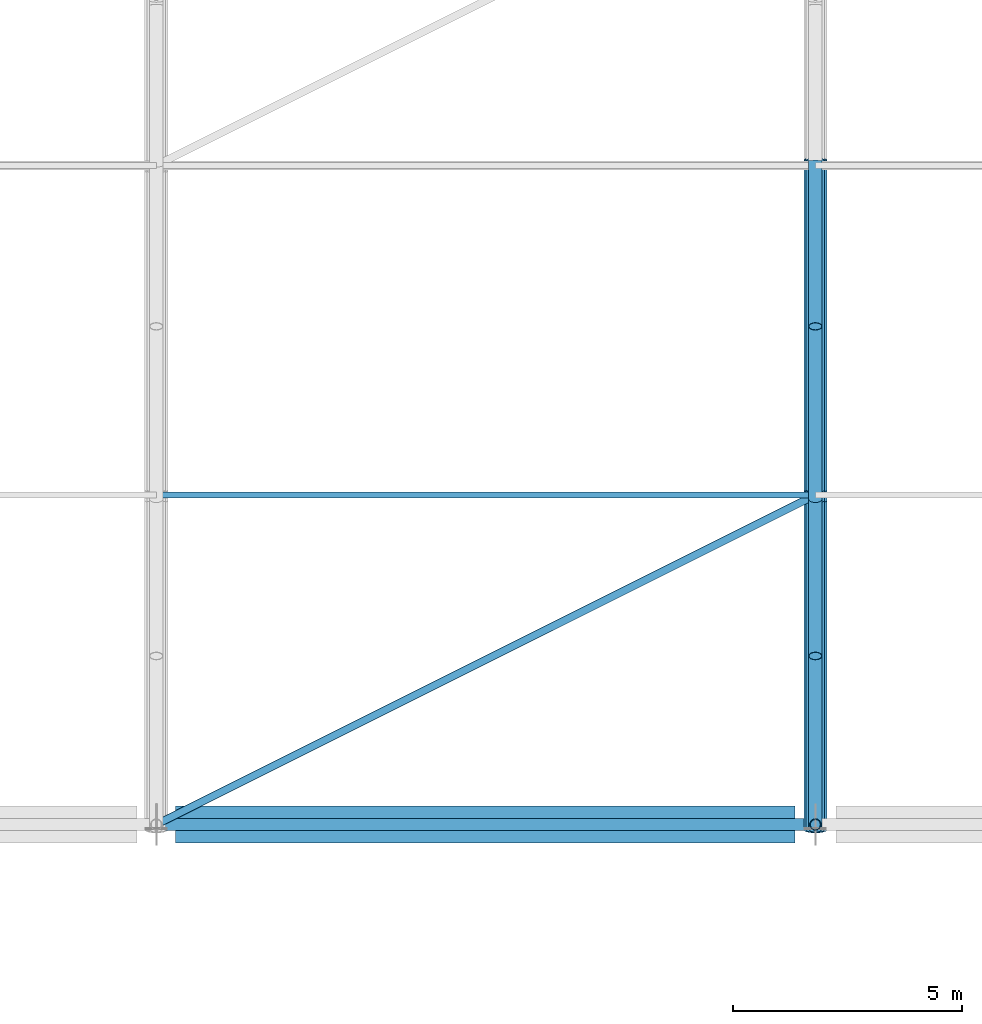
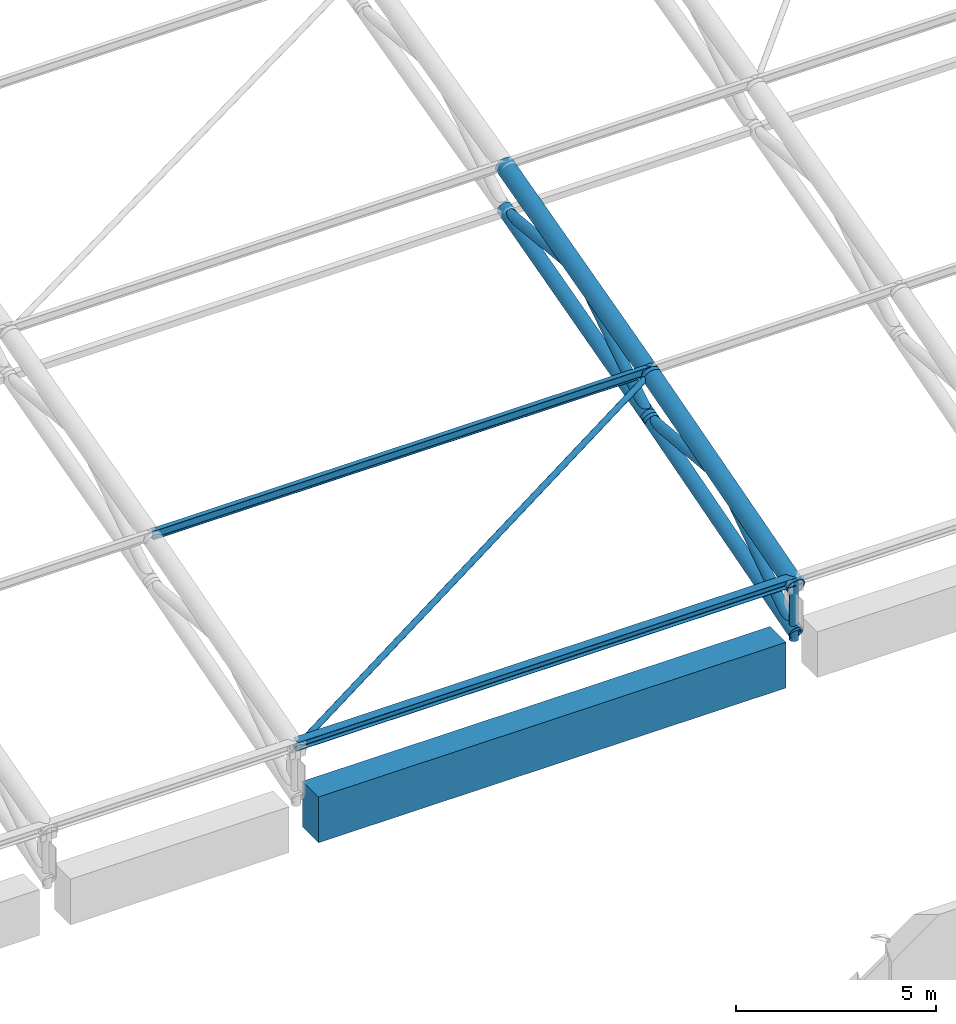
# One storey, part 34 of 193: 12 members, 1 beam.
"""IFC4 building model written with IfcOpenShell, lengths in metres."""

from ifc_helpers import new_model, si_unit, direction, frame, origin, origin_2d, place, context, subcontext, project, spatial, rectangle, hollow_circle, i_section, extrude, material, material_profile, profile_set, type_object, element, save


model = new_model("IFC4")

# Units and contexts
model_context = context("Model", 3, precision=1e-05, world=origin(), true_north=direction((0.0, 1.0)))
body_context = subcontext(model_context, "Body", "Model", "MODEL_VIEW")
ifc_project = project(units=[si_unit("LENGTHUNIT", "METRE"), si_unit("AREAUNIT", "SQUARE_METRE"), si_unit("VOLUMEUNIT", "CUBIC_METRE"), si_unit("PLANEANGLEUNIT", "RADIAN"), si_unit("MASSUNIT", "GRAM", prefix="KILO")], contexts=[model_context])

# Site, building, storey
site_placement = place(None, origin())
site = spatial("IfcSite", under=ifc_project, at=site_placement, CompositionType="ELEMENT")
building_placement = place(site_placement, origin())
building = spatial("IfcBuilding", under=site, at=building_placement, Name="Cendralis Lancet Convention Centre", CompositionType="ELEMENT")
storey_placement = place(building_placement, frame((0.0, 0.0, 10.199951171875)))
storey = spatial("IfcBuildingStorey", under=building, at=storey_placement, Name="L02", CompositionType="ELEMENT", Elevation=10.199951171875)

# Beam
ifc_material_1 = material(Name="Concrete G40 (C40/50)", Category="concrete")
ifc_material_profile_1 = material_profile(ifc_material_1, rectangle(XDim=0.800048828125, YDim=1.39990234375, at=origin_2d()), Name="RCB 800x1400")
ifc_profile_set_1 = profile_set([ifc_material_profile_1], Name="Concrete G40 (C40/50)")
beam_type = type_object("IfcBeamType", Name="STR-BM-BG17", PredefinedType="BEAM", material=ifc_profile_set_1)
beam_placement = place(storey_placement, frame((79.625, 50.39990234375, 1.5), z_axis=(1.0, 0.0, 0.0), x_axis=(0.0, 1.0, 0.0)))
element("IfcBeam", 1, at=beam_placement, inside=storey, type_object=beam_type, Name="L02 Beam BG17 #1318", PredefinedType="BEAM", context=body_context, shape_type="SweptSolid", body=[
    extrude(rectangle(XDim=0.800048828125, YDim=1.39990234375, at=origin_2d()), origin(), (0.0, 0.0, 1.0), 13.52490234375),
])

# Members
ifc_material_2 = material(Name="Steel S355", Category="steel")
ifc_material_profile_2 = material_profile(ifc_material_2, hollow_circle(Radius=0.084228515625, WallThickness=0.008056640625, at=origin_2d()), Name="CHS 168.3x8.0")
ifc_profile_set_2 = profile_set([ifc_material_profile_2], Name="Steel S355")
member_type_1 = type_object("IfcMemberType", Name="STR-BR-RB01", PredefinedType="BRACE", material=ifc_profile_set_2)
member_1_placement = place(storey_placement, frame((79.199951171875, 50.39990234375, 3.60009765625), z_axis=(0.887214614749, 0.443614828309, 0.126712712386), x_axis=(-0.44721966113, 0.894424158159, 0.0)))
element("IfcMember", 2, at=member_1_placement, inside=storey, type_object=member_type_1, Name="Roof Diaphragm Brace RB01 V1-09-00A", PredefinedType="BRACE", context=body_context, shape_type="SweptSolid", body=[
    extrude(hollow_circle(Radius=0.084228515625, WallThickness=0.008056640625, at=origin_2d()), origin(), (0.0, 0.0, 1.0), 16.230712890625),
])
ifc_material_profile_3 = material_profile(ifc_material_2, i_section(OverallWidth=0.135009765625, OverallDepth=0.27001953125, WebThickness=0.006591796875, FlangeThickness=0.01025390625, FilletRadius=0.014892578125, at=origin_2d()), Name="IPE 270")
ifc_profile_set_3 = profile_set([ifc_material_profile_3], Name="Steel S355")
member_type_2 = type_object("IfcMemberType", Name="STR-PR-PR01", PredefinedType="PURLIN", material=ifc_profile_set_3)
member_2_placement = place(storey_placement, frame((79.199951171875, 57.60009765625, 5.771728515625), z_axis=(1.0, 0.0, 0.0), x_axis=(0.0, 1.0, 0.0)))
element("IfcMember", 3, at=member_2_placement, inside=storey, type_object=member_type_2, Name="Vault Roof Purlin PR01 V1-09-01", PredefinedType="PURLIN", context=body_context, shape_type="SweptSolid", body=[
    extrude(i_section(OverallWidth=0.135009765625, OverallDepth=0.27001953125, WebThickness=0.006591796875, FlangeThickness=0.01025390625, FilletRadius=0.014892578125, at=origin_2d()), origin(), (0.0, 0.0, 1.0), 14.400146484375),
])
ifc_material_profile_4 = material_profile(ifc_material_2, i_section(OverallWidth=0.260009765625, OverallDepth=0.25, WebThickness=0.007568359375, FlangeThickness=0.012451171875, FilletRadius=0.02392578125, at=origin_2d()), Name="HEA 260")
ifc_profile_set_4 = profile_set([ifc_material_profile_4], Name="Steel S355")
member_type_3 = type_object("IfcMemberType", Name="STR-PR-PR07", PredefinedType="PURLIN", material=ifc_profile_set_4)
member_3_placement = place(storey_placement, frame((79.199951171875, 50.39990234375, 3.72509765625), z_axis=(1.0, 0.0, 0.0), x_axis=(0.0, 1.0, 0.0)))
element("IfcMember", 4, at=member_3_placement, inside=storey, type_object=member_type_3, Name="Vault Roof Purlin PR07 V1-09-00", PredefinedType="PURLIN", context=body_context, shape_type="SweptSolid", body=[
    extrude(i_section(OverallWidth=0.260009765625, OverallDepth=0.25, WebThickness=0.007568359375, FlangeThickness=0.012451171875, FilletRadius=0.02392578125, at=origin_2d()), origin(), (0.0, 0.0, 1.0), 14.400146484375),
])
ifc_material_profile_5 = material_profile(ifc_material_2, hollow_circle(Radius=0.203125, WallThickness=0.01611328125, at=origin_2d()), Name="CHS 406.4x16.0")
ifc_profile_set_5 = profile_set([ifc_material_profile_5], Name="Steel S355")
member_type_4 = type_object("IfcMemberType", Name="STR-TR-BC01-INT", PredefinedType="CHORD", material=ifc_profile_set_5)
member_4_placement = place(storey_placement, frame((93.60009765625, 50.284912109375, 2.16650390625), z_axis=(0.0, 0.960208219649, 0.279285114028), x_axis=(-1.0, 0.0, 0.0)))
element("IfcMember", 5, at=member_4_placement, inside=storey, type_object=member_type_4, Name="ROOF TRUSS AT-V1-11 Bottom Chord 00", PredefinedType="CHORD", context=body_context, shape_type="SweptSolid", body=[
    extrude(hollow_circle(Radius=0.203125, WallThickness=0.01611328125, at=origin_2d()), origin(), (0.0, 0.0, 1.0), 7.738037109375),
])
member_5_placement = place(storey_placement, frame((93.60009765625, 57.484130859375, 4.262451171875), z_axis=(0.0, 0.964987331955, 0.262296490953), x_axis=(-1.0, 0.0, 0.0)))
element("IfcMember", 6, at=member_5_placement, inside=storey, type_object=member_type_4, Name="ROOF TRUSS AT-V1-11 Bottom Chord 01", PredefinedType="CHORD", context=body_context, shape_type="SweptSolid", body=[
    extrude(hollow_circle(Radius=0.203125, WallThickness=0.01611328125, at=origin_2d()), origin(), (0.0, 0.0, 1.0), 7.701171875),
])
ifc_material_profile_6 = material_profile(ifc_material_2, hollow_circle(Radius=0.25390625, WallThickness=0.02001953125, at=origin_2d()), Name="CHS 508.0x20.0")
ifc_profile_set_6 = profile_set([ifc_material_profile_6], Name="Steel S355")
member_type_5 = type_object("IfcMemberType", Name="STR-TR-TC01-INT", PredefinedType="CHORD", material=ifc_profile_set_6)
member_6_placement = place(storey_placement, frame((93.60009765625, 50.28466796875, 3.567138671875), z_axis=(0.0, 0.961540636093, 0.274662711598), x_axis=(-1.0, 0.0, 0.0)))
element("IfcMember", 7, at=member_6_placement, inside=storey, type_object=member_type_5, Name="ROOF TRUSS AT-V1-11 Top Chord 00", PredefinedType="CHORD", context=body_context, shape_type="SweptSolid", body=[
    extrude(hollow_circle(Radius=0.25390625, WallThickness=0.02001953125, at=origin_2d()), origin(), (0.0, 0.0, 1.0), 7.727783203125),
])
member_7_placement = place(storey_placement, frame((93.60009765625, 57.484130859375, 5.625732421875), z_axis=(0.0, 0.966247582415, 0.257615235337), x_axis=(-1.0, 0.0, 0.0)))
element("IfcMember", 8, at=member_7_placement, inside=storey, type_object=member_type_5, Name="ROOF TRUSS AT-V1-11 Top Chord 01", PredefinedType="CHORD", context=body_context, shape_type="SweptSolid", body=[
    extrude(hollow_circle(Radius=0.25390625, WallThickness=0.02001953125, at=origin_2d()), origin(), (0.0, 0.0, 1.0), 7.69140625),
])
ifc_material_profile_7 = material_profile(ifc_material_2, hollow_circle(Radius=0.149169921875, WallThickness=0.012451171875, at=origin_2d()), Name="CHS 298.5x12.5")
ifc_profile_set_7 = profile_set([ifc_material_profile_7], Name="Steel S355")
member_type_6 = type_object("IfcMemberType", Name="STR-TR-WD01-INT", PredefinedType="BRACE", material=ifc_profile_set_7)
member_8_placement = place(storey_placement, frame((93.60009765625, 50.317138671875, 2.14404296875), z_axis=(0.0, 0.829019978373, 0.559218987032), x_axis=(-1.0, 0.0, 0.0)))
element("IfcMember", 9, at=member_8_placement, inside=storey, type_object=member_type_6, Name="ROOF TRUSS AT-V1-11 Warren Web 00-0", PredefinedType="BRACE", context=body_context, shape_type="SweptSolid", body=[
    extrude(hollow_circle(Radius=0.149169921875, WallThickness=0.012451171875, at=origin_2d()), origin(), (0.0, 0.0, 1.0), 4.54248046875),
])
member_9_placement = place(storey_placement, frame((93.60009765625, 53.900390625, 4.6376953125), z_axis=(0.0, 0.995716709116, -0.092456666539), x_axis=(-1.0, 0.0, 0.0)))
element("IfcMember", 10, at=member_9_placement, inside=storey, type_object=member_type_6, Name="ROOF TRUSS AT-V1-11 Warren Web 00-1", PredefinedType="BRACE", context=body_context, shape_type="SweptSolid", body=[
    extrude(hollow_circle(Radius=0.149169921875, WallThickness=0.012451171875, at=origin_2d()), origin(), (0.0, 0.0, 1.0), 3.815673828125),
])
member_10_placement = place(storey_placement, frame((93.60009765625, 57.51611328125, 4.23974609375), z_axis=(0.0, 0.840291047389, 0.542135551018), x_axis=(-1.0, 0.0, 0.0)))
element("IfcMember", 11, at=member_10_placement, inside=storey, type_object=member_type_6, Name="ROOF TRUSS AT-V1-11 Warren Web 01-0", PredefinedType="BRACE", context=body_context, shape_type="SweptSolid", body=[
    extrude(hollow_circle(Radius=0.149169921875, WallThickness=0.012451171875, at=origin_2d()), origin(), (0.0, 0.0, 1.0), 4.48388671875),
])
member_11_placement = place(storey_placement, frame((93.60009765625, 61.1005859375, 6.626708984375), z_axis=(0.0, 0.99488409704, -0.101022935304), x_axis=(-1.0, 0.0, 0.0)))
element("IfcMember", 12, at=member_11_placement, inside=storey, type_object=member_type_6, Name="ROOF TRUSS AT-V1-11 Warren Web 01-1", PredefinedType="BRACE", context=body_context, shape_type="SweptSolid", body=[
    extrude(hollow_circle(Radius=0.149169921875, WallThickness=0.012451171875, at=origin_2d()), origin(), (0.0, 0.0, 1.0), 3.818359375),
])
ifc_material_profile_8 = material_profile(ifc_material_2, hollow_circle(Radius=0.122314453125, WallThickness=0.010009765625, at=origin_2d()), Name="CHS 244.5x10.0")
ifc_profile_set_8 = profile_set([ifc_material_profile_8], Name="Steel S355")
member_type_7 = type_object("IfcMemberType", Name="STR-TR-WV01-INT", PredefinedType="POST", material=ifc_profile_set_8)
member_12_placement = place(storey_placement, frame((93.60009765625, 50.39990234375, 1.900146484375), z_axis=(0.0, 0.0, 1.0), x_axis=(1.0, 0.0, 0.0)))
element("IfcMember", 13, at=member_12_placement, inside=storey, type_object=member_type_7, Name="ROOF TRUSS AT-V1-11 Springing Post N00", PredefinedType="POST", context=body_context, shape_type="SweptSolid", body=[
    extrude(hollow_circle(Radius=0.122314453125, WallThickness=0.010009765625, at=origin_2d()), origin(), (0.0, 0.0, 1.0), 1.919921875),
])

save(model, "model.ifc")
